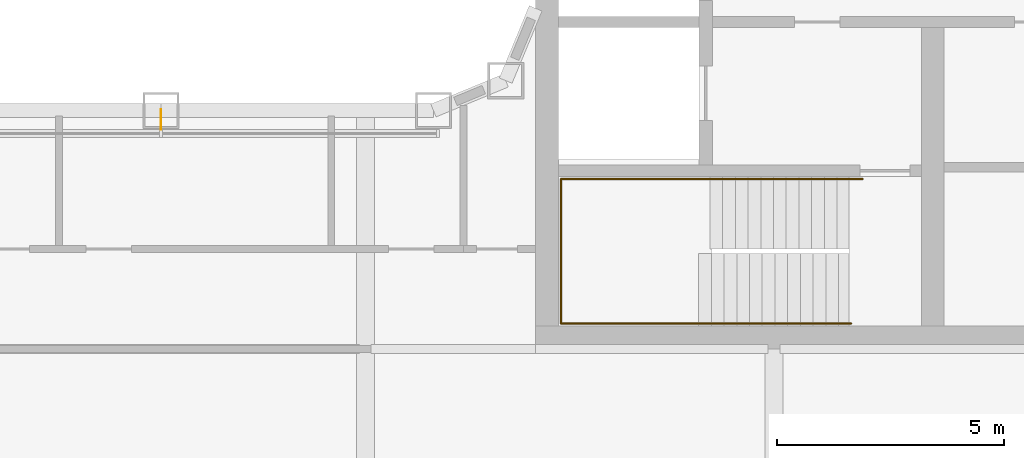
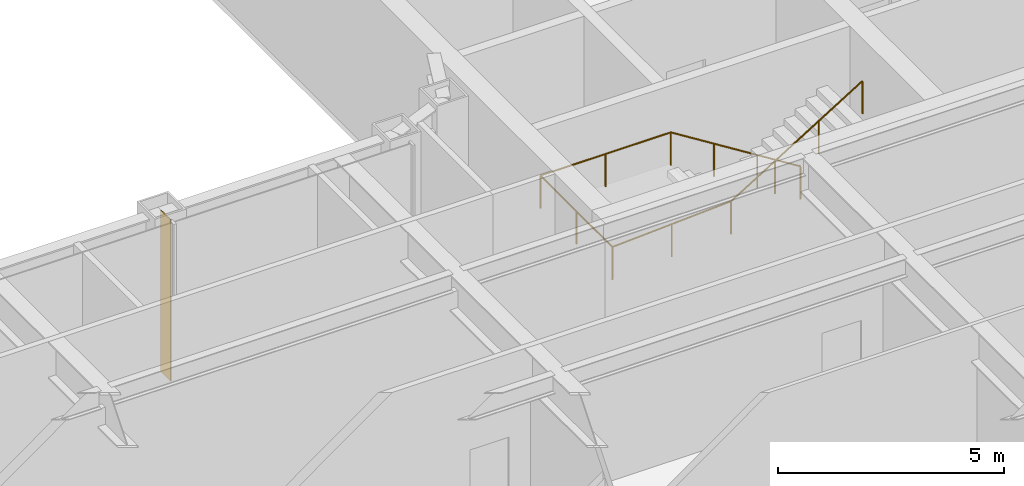
# One storey, part 25 of 29: 1 railing, 1 shading device.
"""IFC4 building model written with IfcOpenShell, lengths in metres."""

from ifc_helpers import new_model, si_unit, direction, frame, origin, origin_2d, place, context, subcontext, project, spatial, rectangle, circle, extrude, material, layer, layer_set, type_object, element, save


model = new_model("IFC4")

# Units and contexts
model_context = context("Model", 3, precision=1e-05, world=origin(), true_north=direction((0.0, 1.0)))
body_context = subcontext(model_context, "Body", "Model", "MODEL_VIEW")
ifc_project = project(units=[si_unit("LENGTHUNIT", "METRE"), si_unit("AREAUNIT", "SQUARE_METRE"), si_unit("VOLUMEUNIT", "CUBIC_METRE"), si_unit("PLANEANGLEUNIT", "RADIAN"), si_unit("MASSUNIT", "GRAM", prefix="KILO")], contexts=[model_context])

# Site, building, storey
site_placement = place(None, origin())
site = spatial("IfcSite", under=ifc_project, at=site_placement, CompositionType="ELEMENT")
building_placement = place(site_placement, origin())
building = spatial("IfcBuilding", under=site, at=building_placement, Name="Siwar Civic Tower", CompositionType="ELEMENT")
storey_placement = place(building_placement, frame((0.0, 0.0, 49.199951171875)))
storey = spatial("IfcBuildingStorey", under=building, at=storey_placement, Name="L10", CompositionType="ELEMENT", Elevation=49.199951171875)

# Railing
ifc_material_1 = material(Name="Stainless steel", Category="steel")
railing_type = type_object("IfcRailingType", Name="CORE-STAIR-HANDRAIL", PredefinedType="HANDRAIL", material=ifc_material_1)
railing_placement = place(storey_placement, frame((15.449951171875, -9.758056640625, 0.173095703125)))
element("IfcRailing", 1, at=railing_placement, inside=storey, type_object=railing_type, Name="Stair handrail ST4", PredefinedType="HANDRAIL", context=body_context, shape_type="SweptSolid", body=[
    extrude(circle(Radius=0.02001953125, at=origin_2d()), frame((0.0, 0.0, 0.8798828125), z_axis=(-0.847063342986, 0.0, 0.531491950051), x_axis=(0.0, -1.0, 0.0)), (0.0, 0.0, 1.0), 3.90771484375),
    extrude(circle(Radius=0.02001953125, at=origin_2d()), frame((-3.31005859375, 0.0, 2.956787109375), z_axis=(-1.0, 0.0, 0.0), x_axis=(0.0, -1.0, 0.0)), (0.0, 0.0, 1.0), 3.331787109375),
    extrude(circle(Radius=0.02001953125, at=origin_2d()), frame((-6.641845703125, 0.0, 2.956787109375), z_axis=(0.0, -1.0, 0.0), x_axis=(1.0, 0.0, 0.0)), (0.0, 0.0, 1.0), 3.183837890625),
    extrude(circle(Radius=0.02001953125, at=origin_2d()), frame((-6.641845703125, -3.183837890625, 2.956787109375), z_axis=(0.99837434197, 0.0, 0.056997134106), x_axis=(0.0, 1.0, 0.0)), (0.0, 0.0, 1.0), 3.036865234375),
    extrude(circle(Radius=0.02001953125, at=origin_2d()), frame((-3.60986328125, -3.183837890625, 3.1298828125), z_axis=(0.850606129759, 0.0, 0.525803396734), x_axis=(0.0, 1.0, 0.0)), (0.0, 0.0, 1.0), 3.949951171875),
    extrude(circle(Radius=0.02001953125, at=origin_2d()), origin(), (0.0, 0.0, 1.0), 0.85986328125),
    extrude(circle(Radius=0.02001953125, at=origin_2d()), frame((-1.103271484375, 0.0, 0.6923828125)), (0.0, 0.0, 1.0), 0.85986328125),
    extrude(circle(Radius=0.02001953125, at=origin_2d()), frame((-2.206787109375, 0.0, 1.384521484375)), (0.0, 0.0, 1.0), 0.85986328125),
    extrude(circle(Radius=0.02001953125, at=origin_2d()), frame((-3.31005859375, 0.0, 2.076904296875)), (0.0, 0.0, 1.0), 0.85986328125),
    extrude(circle(Radius=0.02001953125, at=origin_2d()), frame((-4.97607421875, 0.0, 2.076904296875)), (0.0, 0.0, 1.0), 0.85986328125),
    extrude(circle(Radius=0.02001953125, at=origin_2d()), frame((-6.641845703125, 0.0, 2.076904296875)), (0.0, 0.0, 1.0), 0.85986328125),
    extrude(circle(Radius=0.02001953125, at=origin_2d()), frame((-6.641845703125, -1.591796875, 2.076904296875)), (0.0, 0.0, 1.0), 0.85986328125),
    extrude(circle(Radius=0.02001953125, at=origin_2d()), frame((-6.641845703125, -3.183837890625, 2.076904296875)), (0.0, 0.0, 1.0), 0.85986328125),
    extrude(circle(Radius=0.02001953125, at=origin_2d()), frame((-5.1259765625, -3.183837890625, 2.16357421875)), (0.0, 0.0, 1.0), 0.85986328125),
    extrude(circle(Radius=0.02001953125, at=origin_2d()), frame((-3.60986328125, -3.183837890625, 2.25)), (0.0, 0.0, 1.0), 0.85986328125),
    extrude(circle(Radius=0.02001953125, at=origin_2d()), frame((-2.489990234375, -3.183837890625, 2.9423828125)), (0.0, 0.0, 1.0), 0.85986328125),
    extrude(circle(Radius=0.02001953125, at=origin_2d()), frame((-1.369873046875, -3.183837890625, 3.634521484375)), (0.0, 0.0, 1.0), 0.85986328125),
    extrude(circle(Radius=0.02001953125, at=origin_2d()), frame((-0.25, -3.183837890625, 4.326904296875)), (0.0, 0.0, 1.0), 0.85986328125),
])

# Shading device
ifc_material_2 = material(Name="Aluminium 6063-T6", Category="aluminium")
ifc_layer = layer(ifc_material_2, 0.02001953125)
ifc_layer_set = layer_set([ifc_layer], Name="Aluminium 6063-T6")
shading_device_type = type_object("IfcShadingDeviceType", Name="ENV-FIN", PredefinedType="JALOUSIE", material=ifc_layer_set)
shading_device_placement = place(storey_placement, frame((0.0, -8.445068359375, 0.0), z_axis=(0.0, 0.0, 1.0), x_axis=(1.0, 0.0, 0.0)))
element("IfcShadingDevice", 2, at=shading_device_placement, inside=storey, type_object=shading_device_type, Name="SUNSHADE fin WS 1", PredefinedType="JALOUSIE", context=body_context, shape_type="SweptSolid", body=[
    extrude(rectangle(XDim=0.02001953125, YDim=0.449951171875, at=origin_2d()), origin(), (0.0, 0.0, 1.0), 4.35009765625),
])

save(model, "model.ifc")
